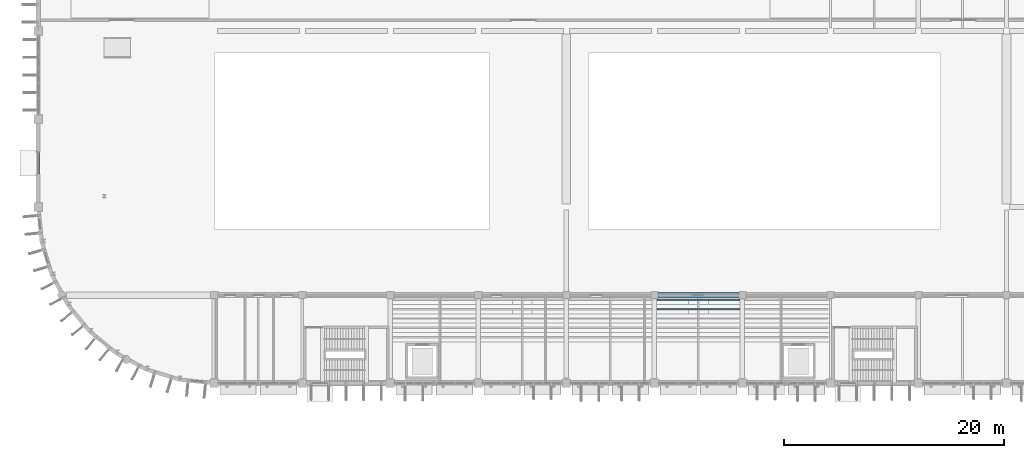
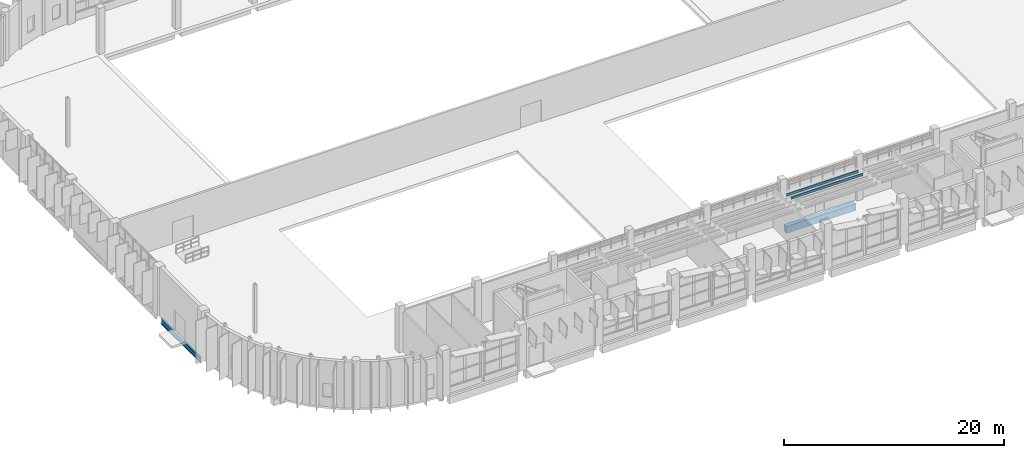
# One storey, part 15 of 103: 4 beams.
"""IFC4 building model written with IfcOpenShell, lengths in metres."""

from ifc_helpers import new_model, si_unit, direction, frame, origin, origin_2d, place, context, subcontext, project, spatial, rectangle, i_section, extrude, material, material_profile, profile_set, type_object, element, save


model = new_model("IFC4")

# Units and contexts
model_context = context("Model", 3, precision=1e-05, world=origin(), true_north=direction((0.0, 1.0)))
body_context = subcontext(model_context, "Body", "Model", "MODEL_VIEW")
ifc_project = project(units=[si_unit("LENGTHUNIT", "METRE"), si_unit("AREAUNIT", "SQUARE_METRE"), si_unit("VOLUMEUNIT", "CUBIC_METRE"), si_unit("PLANEANGLEUNIT", "RADIAN"), si_unit("MASSUNIT", "GRAM", prefix="KILO")], contexts=[model_context])

# Site, building, storey
site_placement = place(None, origin())
site = spatial("IfcSite", under=ifc_project, at=site_placement, CompositionType="ELEMENT")
building_placement = place(site_placement, origin())
building = spatial("IfcBuilding", under=site, at=building_placement, Name="Drelvana Railside Aquatics Centre", CompositionType="ELEMENT")
storey_placement = place(building_placement, origin())
storey = spatial("IfcBuildingStorey", under=building, at=storey_placement, Name="L00", CompositionType="ELEMENT", Elevation=0.0)

# Beams
ifc_material_1 = material(Name="Concrete C40/50", Category="concrete")
ifc_material_profile_1 = material_profile(ifc_material_1, rectangle(XDim=0.449951171875, YDim=0.75, at=origin_2d()), Name="RC 450x750")
ifc_profile_set_1 = profile_set([ifc_material_profile_1], Name="Concrete C40/50")
beam_type_1 = type_object("IfcBeamType", Name="STR-BM-BM-04-RC-450x750", PredefinedType="BEAM", material=ifc_profile_set_1)
beam_1_placement = place(storey_placement, frame((56.35009765625, 24.0, -0.705078125), z_axis=(1.0, 0.0, 0.0), x_axis=(0.0, 1.0, 0.0)))
element("IfcBeam", 1, at=beam_1_placement, inside=storey, type_object=beam_type_1, Name="Girder BM-04 (L00)", PredefinedType="BEAM", context=body_context, shape_type="SweptSolid", body=[
    extrude(rectangle(XDim=0.449951171875, YDim=0.75, at=origin_2d()), origin(), (0.0, 0.0, 1.0), 7.2998046875),
])
ifc_material_2 = material(Name="Structural steel S355", Category="steel")
ifc_material_profile_2 = material_profile(ifc_material_2, i_section(OverallWidth=0.2099609375, OverallDepth=0.550048828125, WebThickness=0.010986328125, FlangeThickness=0.01708984375, at=origin_2d()), Name="IPE 550")
ifc_profile_set_2 = profile_set([ifc_material_profile_2], Name="Structural steel S355")
beam_type_2 = type_object("IfcBeamType", Name="STR-SBM-SB-04-IPE-550", PredefinedType="SPANDREL", material=ifc_profile_set_2)
beam_2_placement = place(storey_placement, frame((0.0, 32.425048828125, -0.60498046875), z_axis=(0.0, 1.0, 0.0), x_axis=(-1.0, 0.0, 0.0)))
element("IfcBeam", 2, at=beam_2_placement, inside=storey, type_object=beam_type_2, Name="Girder SB-04 (L00)", PredefinedType="SPANDREL", context=body_context, shape_type="SweptSolid", body=[
    extrude(i_section(OverallWidth=0.2099609375, OverallDepth=0.550048828125, WebThickness=0.010986328125, FlangeThickness=0.01708984375, at=origin_2d()), origin(), (0.0, 0.0, 1.0), 7.14990234375),
])
ifc_material_profile_3 = material_profile(ifc_material_2, i_section(OverallWidth=0.1201171875, OverallDepth=0.239990234375, WebThickness=0.006103515625, FlangeThickness=0.009765625, at=origin_2d()), Name="IPE 240")
ifc_profile_set_3 = profile_set([ifc_material_profile_3], Name="Structural steel S355")
beam_type_3 = type_object("IfcBeamType", Name="STR-SBM-SJ-01-IPE-240", PredefinedType="JOIST", material=ifc_profile_set_3)
for number, where, z_axis, x_axis, name in (
    (3, (56.22509765625, 23.574951171875, 3.346923828125), (1.0, 0.0, 0.0), (0.0, 1.0, 0.0), "Lower stand tier bearer S4.R1"),
    (4, (56.22509765625, 22.72509765625, 3.53076171875), (1.0, 0.0, 0.0), (0.0, 1.0, 0.0), "Lower stand tier bearer S4.R2"),
):
    element("IfcBeam", number, at=place(storey_placement, frame(where, z_axis=z_axis, x_axis=x_axis)), inside=storey, type_object=beam_type_3, Name=name, PredefinedType="JOIST", context=body_context, shape_type="SweptSolid", body=[
        extrude(i_section(OverallWidth=0.1201171875, OverallDepth=0.239990234375, WebThickness=0.006103515625, FlangeThickness=0.009765625, at=origin_2d()), origin(), (0.0, 0.0, 1.0), 7.5498046875),
    ])

save(model, "model.ifc")
